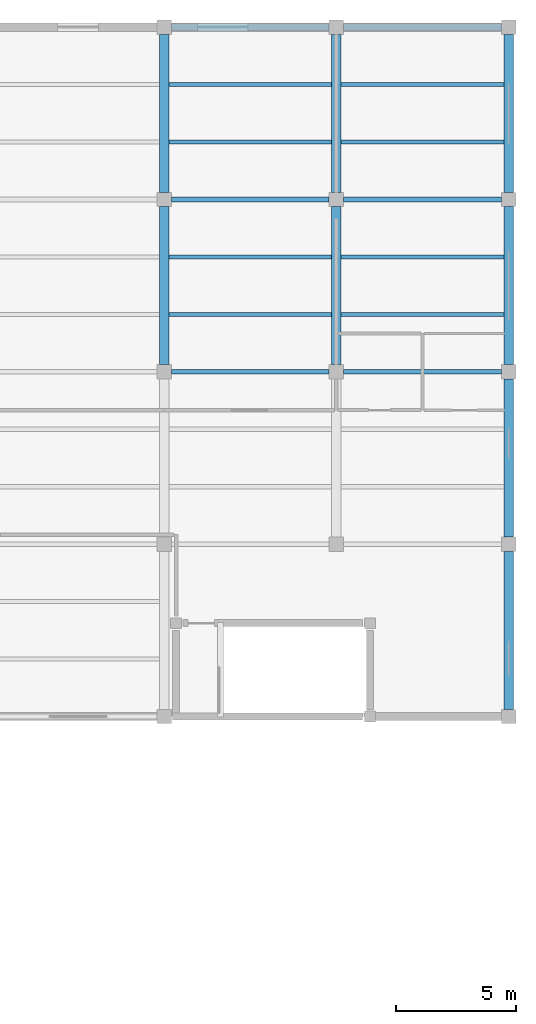
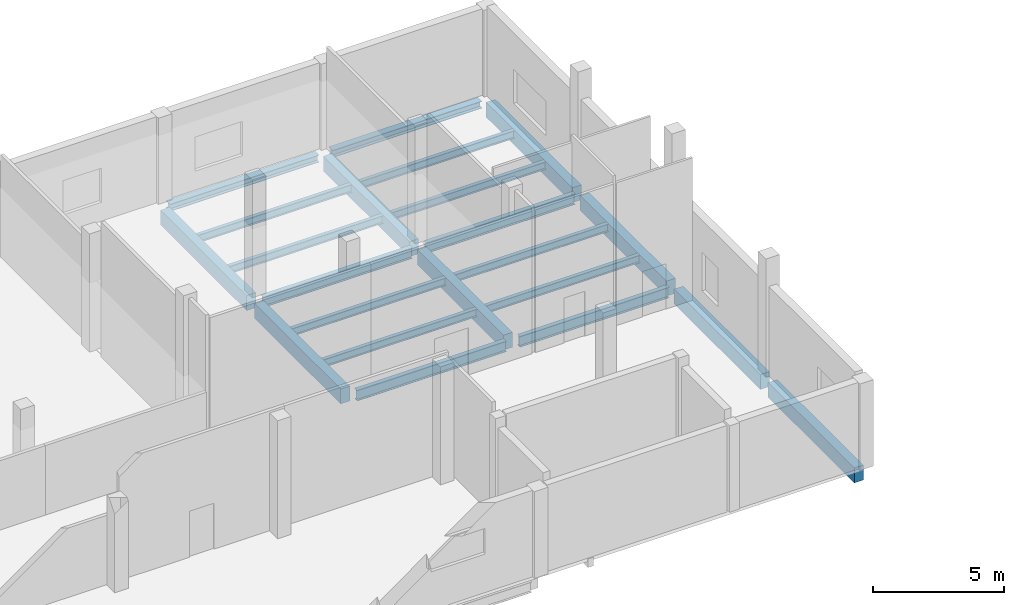
# One storey, part 20 of 48: 22 beams.
"""IFC4 building model written with IfcOpenShell, lengths in metres."""

from ifc_helpers import new_model, si_unit, direction, frame, origin, origin_2d, place, context, subcontext, project, spatial, rectangle, i_section, extrude, material, material_profile, profile_set, type_object, element, save


model = new_model("IFC4")

# Units and contexts
model_context = context("Model", 3, precision=1e-05, world=origin(), true_north=direction((0.0, 1.0)))
body_context = subcontext(model_context, "Body", "Model", "MODEL_VIEW")
ifc_project = project(units=[si_unit("LENGTHUNIT", "METRE"), si_unit("AREAUNIT", "SQUARE_METRE"), si_unit("VOLUMEUNIT", "CUBIC_METRE"), si_unit("PLANEANGLEUNIT", "RADIAN"), si_unit("MASSUNIT", "GRAM", prefix="KILO"), si_unit("THERMODYNAMICTEMPERATUREUNIT", "KELVIN"), si_unit("POWERUNIT", "WATT")], contexts=[model_context])

# Site, building, storey
site_placement = place(None, origin())
site = spatial("IfcSite", under=ifc_project, at=site_placement, CompositionType="ELEMENT")
building_placement = place(site_placement, origin())
building = spatial("IfcBuilding", under=site, at=building_placement, Name="Kaldorven Railside Theatre", CompositionType="ELEMENT")
storey_placement = place(building_placement, frame((0.0, 0.0, 18.89990234375)))
storey = spatial("IfcBuildingStorey", under=building, at=storey_placement, Name="L04", CompositionType="ELEMENT", Elevation=18.89990234375)

# Beams
ifc_material_1 = material(Name="Steel S355", Category="steel")
ifc_material_profile_1 = material_profile(ifc_material_1, i_section(OverallWidth=0.300048828125, OverallDepth=0.340087890625, WebThickness=0.011962890625, FlangeThickness=0.021484375, at=origin_2d()), Name="HEB 340")
ifc_profile_set_1 = profile_set([ifc_material_profile_1], Name="Steel S355")
beam_type_1 = type_object("IfcBeamType", Name="BM-HEB340", PredefinedType="SPANDREL", material=ifc_profile_set_1)
beam_1_placement = place(storey_placement, frame((152.300048828125, 141.60009765625, -0.449951171875), z_axis=(1.0, 0.0, 0.0), x_axis=(0.0, 1.0, 0.0)))
element("IfcBeam", 1, at=beam_1_placement, inside=storey, type_object=beam_type_1, Name="L04 Girder BGX-L04-152-141", PredefinedType="SPANDREL", context=body_context, shape_type="SweptSolid", body=[
    extrude(i_section(OverallWidth=0.300048828125, OverallDepth=0.340087890625, WebThickness=0.011962890625, FlangeThickness=0.021484375, at=origin_2d()), origin(), (0.0, 0.0, 1.0), 6.599853515625),
])
beam_2_placement = place(storey_placement, frame((159.5, 141.60009765625, -0.449951171875), z_axis=(1.0, 0.0, 0.0), x_axis=(0.0, 1.0, 0.0)))
element("IfcBeam", 2, at=beam_2_placement, inside=storey, type_object=beam_type_1, Name="L04 Girder BGX-L04-159-141", PredefinedType="SPANDREL", context=body_context, shape_type="SweptSolid", body=[
    extrude(i_section(OverallWidth=0.300048828125, OverallDepth=0.340087890625, WebThickness=0.011962890625, FlangeThickness=0.021484375, at=origin_2d()), origin(), (0.0, 0.0, 1.0), 6.60009765625),
])
ifc_material_profile_2 = material_profile(ifc_material_1, i_section(OverallWidth=0.169921875, OverallDepth=0.360107421875, WebThickness=0.008056640625, FlangeThickness=0.0126953125, at=origin_2d()), Name="IPE 360")
ifc_profile_set_2 = profile_set([ifc_material_profile_2], Name="Steel S355")
beam_type_2 = type_object("IfcBeamType", Name="BM-IPE360", PredefinedType="JOIST", material=ifc_profile_set_2)
for number, where, z_axis, x_axis, name in (
    (3, (152.199951171875, 129.60009765625, -0.4599609375), (1.0, 0.0, 0.0), (0.0, 1.0, 0.0), "L04 Secondary Floor Joist JG-L04-152-1296"),
    (4, (152.199951171875, 132.0, -0.4599609375), (1.0, 0.0, 0.0), (0.0, 1.0, 0.0), "L04 Secondary Floor Joist JG-L04-152-1320"),
    (5, (159.39990234375, 129.60009765625, -0.4599609375), (1.0, 0.0, 0.0), (0.0, 1.0, 0.0), "L04 Secondary Floor Joist JG-L04-159-1296"),
    (6, (159.39990234375, 132.0, -0.4599609375), (1.0, 0.0, 0.0), (0.0, 1.0, 0.0), "L04 Secondary Floor Joist JG-L04-159-1320"),
    (7, (152.199951171875, 136.800048828125, -0.4599609375), (1.0, 0.0, 0.0), (0.0, 1.0, 0.0), "L04 Secondary Floor Joist JG-L04-152-1368"),
    (8, (152.199951171875, 139.199951171875, -0.4599609375), (1.0, 0.0, 0.0), (0.0, 1.0, 0.0), "L04 Secondary Floor Joist JG-L04-152-1392"),
    (9, (159.39990234375, 136.800048828125, -0.4599609375), (1.0, 0.0, 0.0), (0.0, 1.0, 0.0), "L04 Secondary Floor Joist JG-L04-159-1368"),
    (10, (159.39990234375, 139.199951171875, -0.4599609375), (1.0, 0.0, 0.0), (0.0, 1.0, 0.0), "L04 Secondary Floor Joist JG-L04-159-1392"),
):
    element("IfcBeam", number, at=place(storey_placement, frame(where, z_axis=z_axis, x_axis=x_axis)), inside=storey, type_object=beam_type_2, Name=name, PredefinedType="JOIST", context=body_context, shape_type="SweptSolid", body=[
        extrude(i_section(OverallWidth=0.169921875, OverallDepth=0.360107421875, WebThickness=0.008056640625, FlangeThickness=0.0126953125, at=origin_2d()), origin(), (0.0, 0.0, 1.0), 6.800048828125),
    ])
ifc_material_profile_3 = material_profile(ifc_material_1, i_section(OverallWidth=0.199951171875, OverallDepth=0.5, WebThickness=0.01025390625, FlangeThickness=0.01611328125, at=origin_2d()), Name="IPE 500")
ifc_profile_set_3 = profile_set([ifc_material_profile_3], Name="Steel S355")
beam_type_3 = type_object("IfcBeamType", Name="BM-IPE500", PredefinedType="BEAM", material=ifc_profile_set_3)
beam_3_placement = place(storey_placement, frame((152.300048828125, 127.199951171875, -0.52978515625), z_axis=(1.0, 0.0, 0.0), x_axis=(0.0, 1.0, 0.0)))
element("IfcBeam", 11, at=beam_3_placement, inside=storey, type_object=beam_type_3, Name="L04 Girder BGX-L04-152-127", PredefinedType="BEAM", context=body_context, shape_type="SweptSolid", body=[
    extrude(i_section(OverallWidth=0.199951171875, OverallDepth=0.5, WebThickness=0.01025390625, FlangeThickness=0.01611328125, at=origin_2d()), origin(), (0.0, 0.0, 1.0), 6.599853515625),
])
beam_4_placement = place(storey_placement, frame((159.5, 127.199951171875, -0.52978515625), z_axis=(1.0, 0.0, 0.0), x_axis=(0.0, 1.0, 0.0)))
element("IfcBeam", 12, at=beam_4_placement, inside=storey, type_object=beam_type_3, Name="L04 Girder BGX-L04-159-127", PredefinedType="BEAM", context=body_context, shape_type="SweptSolid", body=[
    extrude(i_section(OverallWidth=0.199951171875, OverallDepth=0.5, WebThickness=0.01025390625, FlangeThickness=0.01611328125, at=origin_2d()), origin(), (0.0, 0.0, 1.0), 6.60009765625),
])
beam_5_placement = place(storey_placement, frame((152.300048828125, 134.39990234375, -0.52978515625), z_axis=(1.0, 0.0, 0.0), x_axis=(0.0, 1.0, 0.0)))
element("IfcBeam", 13, at=beam_5_placement, inside=storey, type_object=beam_type_3, Name="L04 Girder BGX-L04-152-134", PredefinedType="BEAM", context=body_context, shape_type="SweptSolid", body=[
    extrude(i_section(OverallWidth=0.199951171875, OverallDepth=0.5, WebThickness=0.01025390625, FlangeThickness=0.01611328125, at=origin_2d()), origin(), (0.0, 0.0, 1.0), 6.599853515625),
])
beam_6_placement = place(storey_placement, frame((159.5, 134.39990234375, -0.52978515625), z_axis=(1.0, 0.0, 0.0), x_axis=(0.0, 1.0, 0.0)))
element("IfcBeam", 14, at=beam_6_placement, inside=storey, type_object=beam_type_3, Name="L04 Girder BGX-L04-159-134", PredefinedType="BEAM", context=body_context, shape_type="SweptSolid", body=[
    extrude(i_section(OverallWidth=0.199951171875, OverallDepth=0.5, WebThickness=0.01025390625, FlangeThickness=0.01611328125, at=origin_2d()), origin(), (0.0, 0.0, 1.0), 6.60009765625),
])
ifc_material_2 = material(Name="Concrete C40/50", Category="concrete")
ifc_material_profile_4 = material_profile(ifc_material_2, rectangle(XDim=0.39990234375, YDim=0.699951171875, at=origin_2d()), Name="RC 400x700")
ifc_profile_set_4 = profile_set([ifc_material_profile_4], Name="Concrete C40/50")
beam_type_4 = type_object("IfcBeamType", Name="BM-RC400x700", PredefinedType="BEAM", material=ifc_profile_set_4)
for number, where, z_axis, x_axis, name in (
    (15, (166.39990234375, 113.10009765625, -0.6298828125), (0.0, 1.0, 0.0), (-1.0, 0.0, 0.0), "L04 Girder BGY-L04-166-112-72"),
    (16, (166.39990234375, 120.300048828125, -0.6298828125), (0.0, 1.0, 0.0), (-1.0, 0.0, 0.0), "L04 Girder BGY-L04-166-120-72"),
):
    element("IfcBeam", number, at=place(storey_placement, frame(where, z_axis=z_axis, x_axis=x_axis)), inside=storey, type_object=beam_type_4, Name=name, PredefinedType="BEAM", context=body_context, shape_type="SweptSolid", body=[
        extrude(rectangle(XDim=0.39990234375, YDim=0.699951171875, at=origin_2d()), origin(), (0.0, 0.0, 1.0), 6.599853515625),
    ])
for number, where, z_axis, x_axis, name in (
    (17, (152.0, 127.5, -0.6298828125), (0.0, 1.0, 0.0), (-1.0, 0.0, 0.0), "L04 Girder BGY-L04-152-127-72"),
    (18, (159.199951171875, 127.5, -0.6298828125), (0.0, 1.0, 0.0), (-1.0, 0.0, 0.0), "L04 Girder BGY-L04-159-127-72"),
    (19, (166.39990234375, 127.5, -0.6298828125), (0.0, 1.0, 0.0), (-1.0, 0.0, 0.0), "L04 Girder BGY-L04-166-127-72"),
    (20, (152.0, 134.699951171875, -0.6298828125), (0.0, 1.0, 0.0), (-1.0, 0.0, 0.0), "L04 Girder BGY-L04-152-134-72"),
    (21, (159.199951171875, 134.699951171875, -0.6298828125), (0.0, 1.0, 0.0), (-1.0, 0.0, 0.0), "L04 Girder BGY-L04-159-134-72"),
    (22, (166.39990234375, 134.699951171875, -0.6298828125), (0.0, 1.0, 0.0), (-1.0, 0.0, 0.0), "L04 Girder BGY-L04-166-134-72"),
):
    element("IfcBeam", number, at=place(storey_placement, frame(where, z_axis=z_axis, x_axis=x_axis)), inside=storey, type_object=beam_type_4, Name=name, PredefinedType="BEAM", context=body_context, shape_type="SweptSolid", body=[
        extrude(rectangle(XDim=0.39990234375, YDim=0.699951171875, at=origin_2d()), origin(), (0.0, 0.0, 1.0), 6.60009765625),
    ])

save(model, "model.ifc")
